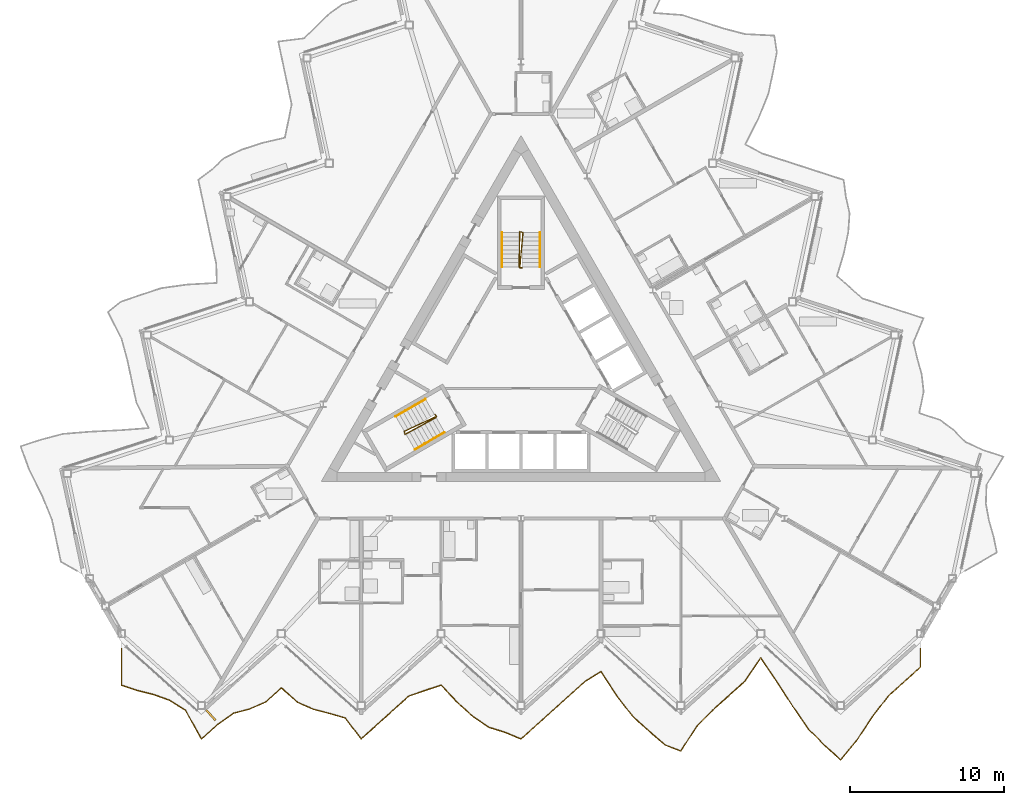
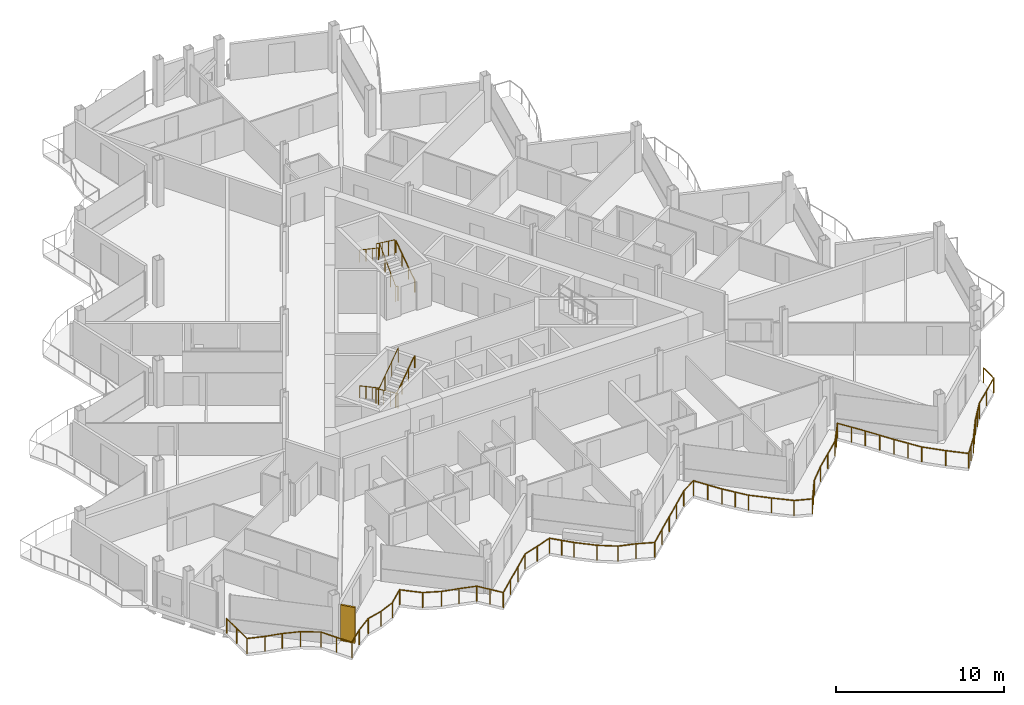
# One storey, part 22 of 26: 7 railings, 1 shading device.
"""IFC4 building model written with IfcOpenShell, lengths in metres."""

import ifcopenshell
import ifcopenshell.guid

model = None  # the IFC model being written
_history = None  # IfcOwnerHistory: only IFC2X3 demands one
_inside = {}  # id of a spatial element -> (the spatial element, [elements in it])
_under = {}  # id of a project, library or spatial element -> (it, [spatial elements below it])
_declared = {}  # id of a project -> (the project, [libraries it declares])
_typed = {}  # id of a type object -> (the type object, [elements of that type])
_made_of = {}  # id of a material, layer set ... -> (it, [elements and type objects made of it])


def new_model(schema):
    """Start an empty IFC model of exactly this schema.

    Asked for "IFC4X3", IfcOpenShell would pick the latest addendum, in which some entities
    have other attributes; the version numbers below select the first issue.
    IFC2X3 requires an IfcOwnerHistory on every rooted entity: one is made here for all.
    """
    global model, _history
    if schema == "IFC4X3":
        model = ifcopenshell.file(schema_version=(4, 3, 0, 0))
    else:
        model = ifcopenshell.file(schema=schema)
    _inside.clear()
    _under.clear()
    _declared.clear()
    _typed.clear()
    _made_of.clear()
    _history = None
    if model.schema == "IFC2X3":
        org = make("IfcOrganization", Name="unknown")
        user = make(
            "IfcPersonAndOrganization",
            ThePerson=make("IfcPerson", FamilyName="unknown"),
            TheOrganization=org,
        )
        app = make(
            "IfcApplication",
            ApplicationDeveloper=org,
            Version="unknown",
            ApplicationFullName="unknown",
            ApplicationIdentifier="unknown",
        )
        _history = make(
            "IfcOwnerHistory",
            OwningUser=user,
            OwningApplication=app,
            ChangeAction="ADDED",
            CreationDate=0,
        )
    return model


def make(cls, **values):
    """One entity of the class cls with the attributes given. An attribute that is None is left unset."""
    return model.create_entity(
        cls, **{name: value for name, value in values.items() if value is not None}
    )


def rooted(cls, **values):
    """An entity with a GlobalId (a new one), such as an element, a storey or a relation."""
    return make(cls, GlobalId=ifcopenshell.guid.new(), OwnerHistory=_history, **values)


def si_unit(unit_type, name, prefix=None):
    """IfcSIUnit, for example si_unit("LENGTHUNIT", "METRE", prefix="MILLI")."""
    return make("IfcSIUnit", UnitType=unit_type, Prefix=prefix, Name=name)


def assignment(units):
    """IfcUnitAssignment: the units of a project."""
    return None if units is None else make("IfcUnitAssignment", Units=units)


def point(xyz):
    """IfcCartesianPoint."""
    return None if xyz is None else make("IfcCartesianPoint", Coordinates=xyz)


def direction(xyz):
    """IfcDirection."""
    return None if xyz is None else make("IfcDirection", DirectionRatios=xyz)


def frame(location, z_axis=None, x_axis=None):
    """IfcAxis2Placement3D, a coordinate frame: its origin and axes. An axis left out is left unset."""
    return make(
        "IfcAxis2Placement3D",
        Location=point(location),
        Axis=direction(z_axis),
        RefDirection=direction(x_axis),
    )


def frame_2d(location, x_axis=None):
    """IfcAxis2Placement2D, a coordinate frame in the plane: its origin and x axis."""
    return make(
        "IfcAxis2Placement2D", Location=point(location), RefDirection=direction(x_axis)
    )


def origin():
    """The frame at (0, 0, 0) with its axes left unset."""
    return frame((0.0, 0.0, 0.0))


def origin_2d():
    """The frame at (0, 0) in the plane with its x axis left unset."""
    return frame_2d((0.0, 0.0))


def place(relative_to, where):
    """IfcLocalPlacement: puts the frame where relative to a parent placement (None: the world)."""
    return make(
        "IfcLocalPlacement", PlacementRelTo=relative_to, RelativePlacement=where
    )


def context(
    kind, dimensions, precision=None, world=None, true_north=None, identifier=None
):
    """IfcGeometricRepresentationContext, for example the 3D "Model" context."""
    return make(
        "IfcGeometricRepresentationContext",
        ContextIdentifier=identifier,
        ContextType=kind,
        CoordinateSpaceDimension=dimensions,
        Precision=precision,
        WorldCoordinateSystem=world,
        TrueNorth=true_north,
    )


def subcontext(parent, identifier, kind, view, scale=None):
    """IfcGeometricRepresentationSubContext, for example "Body" below "Model"."""
    return make(
        "IfcGeometricRepresentationSubContext",
        ContextIdentifier=identifier,
        ContextType=kind,
        ParentContext=parent,
        TargetScale=scale,
        TargetView=view,
    )


def project(units=None, contexts=None):
    """IfcProject with its units and contexts."""
    return rooted(
        "IfcProject",
        Name="project",
        RepresentationContexts=contexts,
        UnitsInContext=assignment(units),
    )


def spatial(cls, under=None, at=None, **own):
    """A site, building, storey or space (cls), placed at a placement, below another one or the project."""
    s = rooted(cls, ObjectPlacement=at, **own)
    if under is not None:
        _under.setdefault(under.id(), (under, []))[1].append(s)
    return s


def profile(cls, at=None, kind="AREA", **sizes):
    """A parametric profile (cls). Its sizes go by their IFC names, for example OverallWidth=200.0."""
    return make(cls, ProfileType=kind, Position=at, **sizes)


def rectangle(**sizes):
    """IfcRectangleProfileDef."""
    return profile("IfcRectangleProfileDef", **sizes)


def circle(**sizes):
    """IfcCircleProfileDef."""
    return profile("IfcCircleProfileDef", **sizes)


def extrude(swept, where, along, depth):
    """IfcExtrudedAreaSolid: the profile swept, set in the frame where, extruded along a direction by depth."""
    return make(
        "IfcExtrudedAreaSolid",
        SweptArea=swept,
        Position=where,
        ExtrudedDirection=direction(along),
        Depth=depth,
    )


def shape(context_of_items, identifier, shape_type, items):
    """IfcShapeRepresentation: the items that make up one representation, for example the "Body"."""
    return make(
        "IfcShapeRepresentation",
        ContextOfItems=context_of_items,
        RepresentationIdentifier=identifier,
        RepresentationType=shape_type,
        Items=items,
    )


def material(Name=None, Category=None):
    """IfcMaterial."""
    return make("IfcMaterial", Name=Name, Category=Category)


def layer(
    of_material, thickness, ventilated=None, Name=None, Category=None, Priority=None
):
    """IfcMaterialLayer: one layer of a wall or slab, of a material (None: an air gap)."""
    return make(
        "IfcMaterialLayer",
        Material=of_material,
        LayerThickness=thickness,
        IsVentilated=ventilated,
        Name=Name,
        Category=Category,
        Priority=Priority,
    )


def layer_set(layers, Name=None):
    """IfcMaterialLayerSet."""
    return make("IfcMaterialLayerSet", MaterialLayers=layers, LayerSetName=Name)


def made_of(thing, what):
    """Note that an element or type object is made of a material, layer set ...; save() writes the relation."""
    if what is not None:
        _made_of.setdefault(what.id(), (what, []))[1].append(thing)
    return thing


def type_object(cls, material=None, **own):
    """A type object (cls), such as IfcWallType, which elements share."""
    return made_of(rooted(cls, **own), material)


def element(
    cls,
    number,
    at=None,
    inside=None,
    cuts=None,
    type_object=None,
    material=None,
    context=None,
    identifier="Body",
    shape_type=None,
    held_by="IfcProductDefinitionShape",
    body=None,
    shapes=None,
    **own,
):
    """One element of the class cls, such as IfcWall. Its Tag is "e" and its number.

    at: its placement. inside: the storey or other place that contains it. cuts: it is an
    opening in that element (IfcRelVoidsElement). A single representation is given by context,
    identifier, shape_type and body (its items); several are given by shapes. held_by: the class
    of the entity that holds the representations. save() writes the other relations.
    """
    e = rooted(cls, Tag="e%d" % number, ObjectPlacement=at, **own)
    if body is not None:
        shapes = [shape(context, identifier, shape_type, body)]
    if shapes is not None:
        e.Representation = make(held_by, Representations=shapes)
    if inside is not None:
        _inside.setdefault(inside.id(), (inside, []))[1].append(e)
    if cuts is not None:
        rooted(
            "IfcRelVoidsElement", RelatingBuildingElement=cuts, RelatedOpeningElement=e
        )
    if type_object is not None:
        _typed.setdefault(type_object.id(), (type_object, []))[1].append(e)
    return made_of(e, material)


def aggregate(whole, parts):
    """IfcRelAggregates: a whole, such as a stair, and the parts it consists of."""
    return rooted("IfcRelAggregates", RelatingObject=whole, RelatedObjects=parts)


def save(model, path):
    """Write the relations noted so far, then the file.

    IfcRelAggregates (storeys below a building ...), IfcRelContainedInSpatialStructure (elements
    in a storey), IfcRelDefinesByType, IfcRelAssociatesMaterial and IfcRelDeclares: one each for
    every whole, place, type object, material and project.
    """
    for whole, parts in _under.values():
        aggregate(whole, parts)
    for where, things in _inside.values():
        rooted(
            "IfcRelContainedInSpatialStructure",
            RelatedElements=things,
            RelatingStructure=where,
        )
    for kind, things in _typed.values():
        rooted("IfcRelDefinesByType", RelatedObjects=things, RelatingType=kind)
    for what, things in _made_of.values():
        rooted("IfcRelAssociatesMaterial", RelatedObjects=things, RelatingMaterial=what)
    for by, libraries in _declared.values():
        rooted("IfcRelDeclares", RelatingContext=by, RelatedDefinitions=libraries)
    model.write(path)


model = new_model("IFC4")

# Units and contexts
model_context = context("Model", 3, precision=1e-05, world=origin(), true_north=direction((0.0, 1.0)))
body_context = subcontext(model_context, "Body", "Model", "MODEL_VIEW")
ifc_project = project(units=[si_unit("LENGTHUNIT", "METRE"), si_unit("AREAUNIT", "SQUARE_METRE"), si_unit("VOLUMEUNIT", "CUBIC_METRE"), si_unit("PLANEANGLEUNIT", "RADIAN"), si_unit("MASSUNIT", "GRAM", prefix="KILO")], contexts=[model_context])

# Site, building, storey
site_placement = place(None, origin())
site = spatial("IfcSite", under=ifc_project, at=site_placement, CompositionType="ELEMENT")
building_placement = place(site_placement, origin())
building = spatial("IfcBuilding", under=site, at=building_placement, Name="Cormorant Prow Tower", CompositionType="ELEMENT")
storey_placement = place(building_placement, frame((0.0, 0.0, 371.199951171875)))
storey = spatial("IfcBuildingStorey", under=building, at=storey_placement, Name="L83", CompositionType="ELEMENT", Elevation=371.199951171875)

# Railings
ifc_material_1 = material(Name="Aluminium 6063-T6", Category="aluminium")
railing_type_1 = type_object("IfcRailingType", Name="Balcony guard 1100", PredefinedType="GUARDRAIL", material=ifc_material_1)
railing_1_placement = place(storey_placement, frame((-26.0, -18.363525390625, 0.0)))
element("IfcRailing", 1, at=railing_1_placement, inside=storey, type_object=railing_type_1, Name="Balcony guard S", PredefinedType="GUARDRAIL", context=body_context, shape_type="SweptSolid", body=[
    extrude(circle(Radius=0.02392578125, at=origin_2d()), frame((0.0, 0.0, 1.076171875), z_axis=(0.0, -1.0, 0.0), x_axis=(1.0, 0.0, 0.0)), (0.0, 0.0, 1.0), 2.40380859375),
    extrude(circle(Radius=0.02392578125, at=origin_2d()), frame((0.0, -2.40380859375, 1.076171875), z_axis=(0.949216711511, -0.314623003909, 0.0), x_axis=(0.314623003909, 0.949216711511, 0.0)), (0.0, 0.0, 1.0), 1.095703125),
    extrude(circle(Radius=0.02392578125, at=origin_2d()), frame((1.0400390625, -2.74853515625, 1.076171875), z_axis=(0.970463258891, -0.241248965062, 0.0), x_axis=(0.241248965062, 0.970463258891, 0.0)), (0.0, 0.0, 1.0), 1.07177734375),
    extrude(circle(Radius=0.02392578125, at=origin_2d()), frame((2.080078125, -3.007080078125, 1.076171875), z_axis=(0.941491643018, -0.337036327606, 0.0), x_axis=(0.337036327606, 0.941491643018, 0.0)), (0.0, 0.0, 1.0), 1.104736328125),
    extrude(circle(Radius=0.02392578125, at=origin_2d()), frame((3.1201171875, -3.37939453125, 1.076171875), z_axis=(0.847271053482, -0.531160768442, 0.0), x_axis=(0.531160768442, 0.847271053482, 0.0)), (0.0, 0.0, 1.0), 1.227294921875),
    extrude(circle(Radius=0.02392578125, at=origin_2d()), frame((4.159912109375, -4.03125, 1.076171875), z_axis=(0.48588501577, -0.874022740808, 0.0), x_axis=(0.874022740808, 0.48588501577, 0.0)), (0.0, 0.0, 1.0), 2.140625),
    extrude(circle(Radius=0.02392578125, at=origin_2d()), frame((5.199951171875, -5.902099609375, 1.076171875), z_axis=(0.743120643554, 0.66915746213, 0.0), x_axis=(-0.66915746213, 0.743120643554, 0.0)), (0.0, 0.0, 1.0), 1.399658203125),
    extrude(circle(Radius=0.02392578125, at=origin_2d()), frame((6.239990234375, -4.965576171875, 1.076171875), z_axis=(0.816160009133, 0.577825959518, 0.0), x_axis=(-0.577825959518, 0.816160009133, 0.0)), (0.0, 0.0, 1.0), 1.2744140625),
    extrude(circle(Radius=0.02392578125, at=origin_2d()), frame((7.280029296875, -4.229248046875, 1.076171875), z_axis=(0.967745006886, 0.251931740056, 0.0), x_axis=(-0.251931740056, 0.967745006886, 0.0)), (0.0, 0.0, 1.0), 1.07470703125),
    extrude(circle(Radius=0.02392578125, at=origin_2d()), frame((8.320068359375, -3.95849609375, 1.076171875), z_axis=(0.91708374588, 0.398694623796, 0.0), x_axis=(-0.398694623796, 0.91708374588, 0.0)), (0.0, 0.0, 1.0), 1.134033203125),
    extrude(circle(Radius=0.02392578125, at=origin_2d()), frame((9.360107421875, -3.50634765625, 1.076171875), z_axis=(0.743129279254, 0.669147871786, 0.0), x_axis=(-0.669147871786, 0.743129279254, 0.0)), (0.0, 0.0, 1.0), 1.399169921875),
    extrude(circle(Radius=0.02392578125, at=origin_2d()), frame((10.39990234375, -2.570068359375, 1.076171875), z_axis=(0.743207391022, -0.669061113749, 0.0), x_axis=(0.669061113749, 0.743207391022, 0.0)), (0.0, 0.0, 1.0), 1.3994140625),
    extrude(circle(Radius=0.02392578125, at=origin_2d()), frame((11.43994140625, -3.50634765625, 1.076171875), z_axis=(0.915584205274, -0.402126302363, 0.0), x_axis=(0.402126302363, 0.915584205274, 0.0)), (0.0, 0.0, 1.0), 1.135986328125),
    extrude(circle(Radius=0.02392578125, at=origin_2d()), frame((12.47998046875, -3.963134765625, 1.076171875), z_axis=(0.967578668894, -0.252569830941, 0.0), x_axis=(0.252569830941, 0.967578668894, 0.0)), (0.0, 0.0, 1.0), 1.074951171875),
    extrude(circle(Radius=0.02392578125, at=origin_2d()), frame((13.52001953125, -4.234619140625, 1.076171875), z_axis=(0.960994388174, -0.276567868521, 0.0), x_axis=(0.276567868521, 0.960994388174, 0.0)), (0.0, 0.0, 1.0), 1.082275390625),
    extrude(circle(Radius=0.02392578125, at=origin_2d()), frame((14.56005859375, -4.533935546875, 1.076171875), z_axis=(0.605169709373, -0.796096490922, 0.0), x_axis=(0.796096490922, 0.605169709373, 0.0)), (0.0, 0.0, 1.0), 1.718505859375),
    extrude(circle(Radius=0.02392578125, at=origin_2d()), frame((15.60009765625, -5.902099609375, 1.076171875), z_axis=(0.74304251841, 0.669244212403, 0.0), x_axis=(-0.669244212403, 0.74304251841, 0.0)), (0.0, 0.0, 1.0), 1.3994140625),
    extrude(circle(Radius=0.02392578125, at=origin_2d()), frame((16.639892578125, -4.965576171875, 1.076171875), z_axis=(0.743207391022, 0.669061113749, 0.0), x_axis=(-0.669061113749, 0.743207391022, 0.0)), (0.0, 0.0, 1.0), 1.3994140625),
    extrude(circle(Radius=0.02392578125, at=origin_2d()), frame((17.679931640625, -4.029296875, 1.076171875), z_axis=(0.743120643554, 0.66915746213, 0.0), x_axis=(-0.66915746213, 0.743120643554, 0.0)), (0.0, 0.0, 1.0), 1.399658203125),
    extrude(circle(Radius=0.02392578125, at=origin_2d()), frame((18.719970703125, -3.0927734375, 1.076171875), z_axis=(0.947879229776, 0.318629825596, 0.0), x_axis=(-0.318629825596, 0.947879229776, 0.0)), (0.0, 0.0, 1.0), 1.09716796875),
    extrude(circle(Radius=0.02392578125, at=origin_2d()), frame((19.760009765625, -2.7431640625, 1.076171875), z_axis=(0.949681709263, 0.313216620074, 0.0), x_axis=(-0.313216620074, 0.949681709263, 0.0)), (0.0, 0.0, 1.0), 1.09521484375),
    extrude(circle(Radius=0.02392578125, at=origin_2d()), frame((20.800048828125, -2.400146484375, 1.076171875), z_axis=(0.684983419518, -0.72855865583, 0.0), x_axis=(0.72855865583, 0.684983419518, 0.0)), (0.0, 0.0, 1.0), 1.518310546875),
    extrude(circle(Radius=0.02392578125, at=origin_2d()), frame((21.840087890625, -3.50634765625, 1.076171875), z_axis=(0.74304251841, -0.669244212403, 0.0), x_axis=(0.669244212403, 0.74304251841, 0.0)), (0.0, 0.0, 1.0), 1.3994140625),
    extrude(circle(Radius=0.02392578125, at=origin_2d()), frame((22.8798828125, -4.44287109375, 1.076171875), z_axis=(0.828532880036, -0.559940413526, 0.0), x_axis=(0.559940413526, 0.828532880036, 0.0)), (0.0, 0.0, 1.0), 1.25537109375),
    extrude(circle(Radius=0.02392578125, at=origin_2d()), frame((23.919921875, -5.145751953125, 1.076171875), z_axis=(0.955322079732, -0.295566784293, 0.0), x_axis=(0.295566784293, 0.955322079732, 0.0)), (0.0, 0.0, 1.0), 1.088623046875),
    extrude(circle(Radius=0.02392578125, at=origin_2d()), frame((24.9599609375, -5.467529296875, 1.076171875), z_axis=(0.922691974816, -0.385537961308, 0.0), x_axis=(0.385537961308, 0.922691974816, 0.0)), (0.0, 0.0, 1.0), 1.127197265625),
    extrude(circle(Radius=0.02392578125, at=origin_2d()), frame((26.0, -5.902099609375, 1.076171875), z_axis=(0.743120643554, 0.66915746213, 0.0), x_axis=(-0.66915746213, 0.743120643554, 0.0)), (0.0, 0.0, 1.0), 1.399658203125),
    extrude(circle(Radius=0.02392578125, at=origin_2d()), frame((27.0400390625, -4.965576171875, 1.076171875), z_axis=(0.743207391022, 0.669061113749, 0.0), x_axis=(-0.669061113749, 0.743207391022, 0.0)), (0.0, 0.0, 1.0), 1.3994140625),
    extrude(circle(Radius=0.02392578125, at=origin_2d()), frame((28.080078125, -4.029296875, 1.076171875), z_axis=(0.743120643554, 0.66915746213, 0.0), x_axis=(-0.66915746213, 0.743120643554, 0.0)), (0.0, 0.0, 1.0), 1.399658203125),
    extrude(circle(Radius=0.02392578125, at=origin_2d()), frame((29.1201171875, -3.0927734375, 1.076171875), z_axis=(0.743129279254, 0.669147871786, 0.0), x_axis=(-0.669147871786, 0.743129279254, 0.0)), (0.0, 0.0, 1.0), 1.399169921875),
    extrude(circle(Radius=0.02392578125, at=origin_2d()), frame((30.159912109375, -2.156494140625, 1.076171875), z_axis=(0.850009906442, 0.526766702584, 0.0), x_axis=(-0.526766702584, 0.850009906442, 0.0)), (0.0, 0.0, 1.0), 1.2236328125),
    extrude(circle(Radius=0.02392578125, at=origin_2d()), frame((31.199951171875, -1.511962890625, 1.076171875), z_axis=(0.547266669214, -0.836958298105, 0.0), x_axis=(0.836958298105, 0.547266669214, 0.0)), (0.0, 0.0, 1.0), 1.900390625),
    extrude(circle(Radius=0.02392578125, at=origin_2d()), frame((32.239990234375, -3.1025390625, 1.076171875), z_axis=(0.613043566481, -0.790049103282, 0.0), x_axis=(0.790049103282, 0.613043566481, 0.0)), (0.0, 0.0, 1.0), 1.696533203125),
    extrude(circle(Radius=0.02392578125, at=origin_2d()), frame((33.280029296875, -4.44287109375, 1.076171875), z_axis=(0.743120643554, -0.66915746213, 0.0), x_axis=(0.66915746213, 0.743120643554, 0.0)), (0.0, 0.0, 1.0), 1.399658203125),
    extrude(circle(Radius=0.02392578125, at=origin_2d()), frame((34.320068359375, -5.37939453125, 1.076171875), z_axis=(0.755162433193, -0.655537717828, 0.0), x_axis=(0.655537717828, 0.755162433193, 0.0)), (0.0, 0.0, 1.0), 1.377197265625),
    extrude(circle(Radius=0.02392578125, at=origin_2d()), frame((35.360107421875, -6.2822265625, 1.076171875), z_axis=(0.931284713773, -0.364292165566, 0.0), x_axis=(0.364292165566, 0.931284713773, 0.0)), (0.0, 0.0, 1.0), 1.116455078125),
    extrude(circle(Radius=0.02392578125, at=origin_2d()), frame((36.39990234375, -6.68896484375, 1.076171875), z_axis=(0.542765165878, 0.839884500815, 0.0), x_axis=(-0.839884500815, 0.542765165878, 0.0)), (0.0, 0.0, 1.0), 1.916259765625),
    extrude(circle(Radius=0.02392578125, at=origin_2d()), frame((37.43994140625, -5.07958984375, 1.076171875), z_axis=(0.703629676819, 0.710566870815, 0.0), x_axis=(-0.710566870815, 0.703629676819, 0.0)), (0.0, 0.0, 1.0), 1.47802734375),
    extrude(circle(Radius=0.02392578125, at=origin_2d()), frame((38.47998046875, -4.029296875, 1.076171875), z_axis=(0.743120643554, 0.66915746213, 0.0), x_axis=(-0.66915746213, 0.743120643554, 0.0)), (0.0, 0.0, 1.0), 1.399658203125),
    extrude(circle(Radius=0.02392578125, at=origin_2d()), frame((39.52001953125, -3.0927734375, 1.076171875), z_axis=(0.743207391022, 0.669061113749, 0.0), x_axis=(-0.669061113749, 0.743207391022, 0.0)), (0.0, 0.0, 1.0), 1.3994140625),
    extrude(circle(Radius=0.02392578125, at=origin_2d()), frame((40.56005859375, -2.156494140625, 1.076171875), z_axis=(0.56272184316, 0.826646313262, 0.0), x_axis=(-0.826646313262, 0.56272184316, 0.0)), (0.0, 0.0, 1.0), 1.84814453125),
    extrude(circle(Radius=0.02392578125, at=origin_2d()), frame((41.60009765625, -0.628662109375, 1.076171875), z_axis=(0.563246541597, -0.826288892204, 0.0), x_axis=(0.826288892204, 0.563246541597, 0.0)), (0.0, 0.0, 1.0), 1.84619140625),
    extrude(circle(Radius=0.02392578125, at=origin_2d()), frame((42.639892578125, -2.154052734375, 1.076171875), z_axis=(0.541547631663, -0.840670067649, 0.0), x_axis=(0.840670067649, 0.541547631663, 0.0)), (0.0, 0.0, 1.0), 1.92041015625),
    extrude(circle(Radius=0.02392578125, at=origin_2d()), frame((43.679931640625, -3.7685546875, 1.076171875), z_axis=(0.56885579327, -0.822437284213, 0.0), x_axis=(0.822437284213, 0.56885579327, 0.0)), (0.0, 0.0, 1.0), 1.828369140625),
    extrude(circle(Radius=0.02392578125, at=origin_2d()), frame((44.719970703125, -5.272216796875, 1.076171875), z_axis=(0.705945824819, -0.708265834571, 0.0), x_axis=(0.708265834571, 0.705945824819, 0.0)), (0.0, 0.0, 1.0), 1.47314453125),
    extrude(circle(Radius=0.02392578125, at=origin_2d()), frame((45.760009765625, -6.315673828125, 1.076171875), z_axis=(0.743207391022, -0.669061113749, 0.0), x_axis=(0.669061113749, 0.743207391022, 0.0)), (0.0, 0.0, 1.0), 1.3994140625),
    extrude(circle(Radius=0.02392578125, at=origin_2d()), frame((46.800048828125, -7.251953125, 1.076171875), z_axis=(0.642109751933, 0.766612722613, 0.0), x_axis=(-0.766612722613, 0.642109751933, 0.0)), (0.0, 0.0, 1.0), 1.61962890625),
    extrude(circle(Radius=0.02392578125, at=origin_2d()), frame((47.840087890625, -6.01025390625, 1.076171875), z_axis=(0.552035240511, 0.833820780044, 0.0), x_axis=(-0.833820780044, 0.552035240511, 0.0)), (0.0, 0.0, 1.0), 1.883544921875),
    extrude(circle(Radius=0.02392578125, at=origin_2d()), frame((48.8798828125, -4.439697265625, 1.076171875), z_axis=(0.611165726756, 0.791502655989, 0.0), x_axis=(-0.791502655989, 0.611165726756, 0.0)), (0.0, 0.0, 1.0), 1.70166015625),
    extrude(circle(Radius=0.02392578125, at=origin_2d()), frame((49.919921875, -3.0927734375, 1.076171875), z_axis=(0.743207391022, 0.669061113749, 0.0), x_axis=(-0.669061113749, 0.743207391022, 0.0)), (0.0, 0.0, 1.0), 1.3994140625),
    extrude(circle(Radius=0.02392578125, at=origin_2d()), frame((50.9599609375, -2.156494140625, 1.076171875), z_axis=(0.743120643554, 0.66915746213, 0.0), x_axis=(-0.66915746213, 0.743120643554, 0.0)), (0.0, 0.0, 1.0), 1.399658203125),
    extrude(circle(Radius=0.02392578125, at=origin_2d()), frame((52.0, -1.219970703125, 1.076171875), z_axis=(0.0, 1.0, 0.0), x_axis=(-1.0, 0.0, 0.0)), (0.0, 0.0, 1.0), 1.219970703125),
    extrude(circle(Radius=0.02099609375, at=origin_2d()), origin(), (0.0, 0.0, 1.0), 1.052001953125),
    extrude(circle(Radius=0.02099609375, at=origin_2d()), frame((0.0, -1.201904296875, 0.0)), (0.0, 0.0, 1.0), 1.052001953125),
    extrude(circle(Radius=0.02099609375, at=origin_2d()), frame((0.0, -2.40380859375, 0.0)), (0.0, 0.0, 1.0), 1.052001953125),
    extrude(circle(Radius=0.02099609375, at=origin_2d()), frame((1.0400390625, -2.74853515625, 0.0)), (0.0, 0.0, 1.0), 1.052001953125),
    extrude(circle(Radius=0.02099609375, at=origin_2d()), frame((2.080078125, -3.007080078125, 0.0)), (0.0, 0.0, 1.0), 1.052001953125),
    extrude(circle(Radius=0.02099609375, at=origin_2d()), frame((3.1201171875, -3.37939453125, 0.0)), (0.0, 0.0, 1.0), 1.052001953125),
    extrude(circle(Radius=0.02099609375, at=origin_2d()), frame((4.159912109375, -4.03125, 0.0)), (0.0, 0.0, 1.0), 1.052001953125),
    extrude(circle(Radius=0.02099609375, at=origin_2d()), frame((4.679931640625, -4.966796875, 0.0)), (0.0, 0.0, 1.0), 1.052001953125),
    extrude(circle(Radius=0.02099609375, at=origin_2d()), frame((5.199951171875, -5.902099609375, 0.0)), (0.0, 0.0, 1.0), 1.052001953125),
    extrude(circle(Radius=0.02099609375, at=origin_2d()), frame((6.239990234375, -4.965576171875, 0.0)), (0.0, 0.0, 1.0), 1.052001953125),
    extrude(circle(Radius=0.02099609375, at=origin_2d()), frame((7.280029296875, -4.229248046875, 0.0)), (0.0, 0.0, 1.0), 1.052001953125),
    extrude(circle(Radius=0.02099609375, at=origin_2d()), frame((8.320068359375, -3.95849609375, 0.0)), (0.0, 0.0, 1.0), 1.052001953125),
    extrude(circle(Radius=0.02099609375, at=origin_2d()), frame((9.360107421875, -3.50634765625, 0.0)), (0.0, 0.0, 1.0), 1.052001953125),
    extrude(circle(Radius=0.02099609375, at=origin_2d()), frame((10.39990234375, -2.570068359375, 0.0)), (0.0, 0.0, 1.0), 1.052001953125),
    extrude(circle(Radius=0.02099609375, at=origin_2d()), frame((11.43994140625, -3.50634765625, 0.0)), (0.0, 0.0, 1.0), 1.052001953125),
    extrude(circle(Radius=0.02099609375, at=origin_2d()), frame((12.47998046875, -3.963134765625, 0.0)), (0.0, 0.0, 1.0), 1.052001953125),
    extrude(circle(Radius=0.02099609375, at=origin_2d()), frame((13.52001953125, -4.234619140625, 0.0)), (0.0, 0.0, 1.0), 1.052001953125),
    extrude(circle(Radius=0.02099609375, at=origin_2d()), frame((14.56005859375, -4.533935546875, 0.0)), (0.0, 0.0, 1.0), 1.052001953125),
    extrude(circle(Radius=0.02099609375, at=origin_2d()), frame((15.080078125, -5.218017578125, 0.0)), (0.0, 0.0, 1.0), 1.052001953125),
    extrude(circle(Radius=0.02099609375, at=origin_2d()), frame((15.60009765625, -5.902099609375, 0.0)), (0.0, 0.0, 1.0), 1.052001953125),
    extrude(circle(Radius=0.02099609375, at=origin_2d()), frame((16.639892578125, -4.965576171875, 0.0)), (0.0, 0.0, 1.0), 1.052001953125),
    extrude(circle(Radius=0.02099609375, at=origin_2d()), frame((17.679931640625, -4.029296875, 0.0)), (0.0, 0.0, 1.0), 1.052001953125),
    extrude(circle(Radius=0.02099609375, at=origin_2d()), frame((18.719970703125, -3.0927734375, 0.0)), (0.0, 0.0, 1.0), 1.052001953125),
    extrude(circle(Radius=0.02099609375, at=origin_2d()), frame((19.760009765625, -2.7431640625, 0.0)), (0.0, 0.0, 1.0), 1.052001953125),
    extrude(circle(Radius=0.02099609375, at=origin_2d()), frame((20.800048828125, -2.400146484375, 0.0)), (0.0, 0.0, 1.0), 1.052001953125),
    extrude(circle(Radius=0.02099609375, at=origin_2d()), frame((21.320068359375, -2.953125, 0.0)), (0.0, 0.0, 1.0), 1.052001953125),
    extrude(circle(Radius=0.02099609375, at=origin_2d()), frame((21.840087890625, -3.50634765625, 0.0)), (0.0, 0.0, 1.0), 1.052001953125),
    extrude(circle(Radius=0.02099609375, at=origin_2d()), frame((22.8798828125, -4.44287109375, 0.0)), (0.0, 0.0, 1.0), 1.052001953125),
    extrude(circle(Radius=0.02099609375, at=origin_2d()), frame((23.919921875, -5.145751953125, 0.0)), (0.0, 0.0, 1.0), 1.052001953125),
    extrude(circle(Radius=0.02099609375, at=origin_2d()), frame((24.9599609375, -5.467529296875, 0.0)), (0.0, 0.0, 1.0), 1.052001953125),
    extrude(circle(Radius=0.02099609375, at=origin_2d()), frame((26.0, -5.902099609375, 0.0)), (0.0, 0.0, 1.0), 1.052001953125),
    extrude(circle(Radius=0.02099609375, at=origin_2d()), frame((27.0400390625, -4.965576171875, 0.0)), (0.0, 0.0, 1.0), 1.052001953125),
    extrude(circle(Radius=0.02099609375, at=origin_2d()), frame((28.080078125, -4.029296875, 0.0)), (0.0, 0.0, 1.0), 1.052001953125),
    extrude(circle(Radius=0.02099609375, at=origin_2d()), frame((29.1201171875, -3.0927734375, 0.0)), (0.0, 0.0, 1.0), 1.052001953125),
    extrude(circle(Radius=0.02099609375, at=origin_2d()), frame((30.159912109375, -2.156494140625, 0.0)), (0.0, 0.0, 1.0), 1.052001953125),
    extrude(circle(Radius=0.02099609375, at=origin_2d()), frame((31.199951171875, -1.511962890625, 0.0)), (0.0, 0.0, 1.0), 1.052001953125),
    extrude(circle(Radius=0.02099609375, at=origin_2d()), frame((31.719970703125, -2.30712890625, 0.0)), (0.0, 0.0, 1.0), 1.052001953125),
    extrude(circle(Radius=0.02099609375, at=origin_2d()), frame((32.239990234375, -3.1025390625, 0.0)), (0.0, 0.0, 1.0), 1.052001953125),
    extrude(circle(Radius=0.02099609375, at=origin_2d()), frame((32.760009765625, -3.772705078125, 0.0)), (0.0, 0.0, 1.0), 1.052001953125),
    extrude(circle(Radius=0.02099609375, at=origin_2d()), frame((33.280029296875, -4.44287109375, 0.0)), (0.0, 0.0, 1.0), 1.052001953125),
    extrude(circle(Radius=0.02099609375, at=origin_2d()), frame((34.320068359375, -5.37939453125, 0.0)), (0.0, 0.0, 1.0), 1.052001953125),
    extrude(circle(Radius=0.02099609375, at=origin_2d()), frame((35.360107421875, -6.2822265625, 0.0)), (0.0, 0.0, 1.0), 1.052001953125),
    extrude(circle(Radius=0.02099609375, at=origin_2d()), frame((36.39990234375, -6.68896484375, 0.0)), (0.0, 0.0, 1.0), 1.052001953125),
    extrude(circle(Radius=0.02099609375, at=origin_2d()), frame((36.919921875, -5.88427734375, 0.0)), (0.0, 0.0, 1.0), 1.052001953125),
    extrude(circle(Radius=0.02099609375, at=origin_2d()), frame((37.43994140625, -5.07958984375, 0.0)), (0.0, 0.0, 1.0), 1.052001953125),
    extrude(circle(Radius=0.02099609375, at=origin_2d()), frame((38.47998046875, -4.029296875, 0.0)), (0.0, 0.0, 1.0), 1.052001953125),
    extrude(circle(Radius=0.02099609375, at=origin_2d()), frame((39.52001953125, -3.0927734375, 0.0)), (0.0, 0.0, 1.0), 1.052001953125),
    extrude(circle(Radius=0.02099609375, at=origin_2d()), frame((40.56005859375, -2.156494140625, 0.0)), (0.0, 0.0, 1.0), 1.052001953125),
    extrude(circle(Radius=0.02099609375, at=origin_2d()), frame((41.080078125, -1.392578125, 0.0)), (0.0, 0.0, 1.0), 1.052001953125),
    extrude(circle(Radius=0.02099609375, at=origin_2d()), frame((41.60009765625, -0.628662109375, 0.0)), (0.0, 0.0, 1.0), 1.052001953125),
    extrude(circle(Radius=0.02099609375, at=origin_2d()), frame((42.1201171875, -1.391357421875, 0.0)), (0.0, 0.0, 1.0), 1.052001953125),
    extrude(circle(Radius=0.02099609375, at=origin_2d()), frame((42.639892578125, -2.154052734375, 0.0)), (0.0, 0.0, 1.0), 1.052001953125),
    extrude(circle(Radius=0.02099609375, at=origin_2d()), frame((43.159912109375, -2.96142578125, 0.0)), (0.0, 0.0, 1.0), 1.052001953125),
    extrude(circle(Radius=0.02099609375, at=origin_2d()), frame((43.679931640625, -3.7685546875, 0.0)), (0.0, 0.0, 1.0), 1.052001953125),
    extrude(circle(Radius=0.02099609375, at=origin_2d()), frame((44.199951171875, -4.5205078125, 0.0)), (0.0, 0.0, 1.0), 1.052001953125),
    extrude(circle(Radius=0.02099609375, at=origin_2d()), frame((44.719970703125, -5.272216796875, 0.0)), (0.0, 0.0, 1.0), 1.052001953125),
    extrude(circle(Radius=0.02099609375, at=origin_2d()), frame((45.760009765625, -6.315673828125, 0.0)), (0.0, 0.0, 1.0), 1.052001953125),
    extrude(circle(Radius=0.02099609375, at=origin_2d()), frame((46.800048828125, -7.251953125, 0.0)), (0.0, 0.0, 1.0), 1.052001953125),
    extrude(circle(Radius=0.02099609375, at=origin_2d()), frame((47.320068359375, -6.631103515625, 0.0)), (0.0, 0.0, 1.0), 1.052001953125),
    extrude(circle(Radius=0.02099609375, at=origin_2d()), frame((47.840087890625, -6.01025390625, 0.0)), (0.0, 0.0, 1.0), 1.052001953125),
    extrude(circle(Radius=0.02099609375, at=origin_2d()), frame((48.35986328125, -5.22509765625, 0.0)), (0.0, 0.0, 1.0), 1.052001953125),
    extrude(circle(Radius=0.02099609375, at=origin_2d()), frame((48.8798828125, -4.439697265625, 0.0)), (0.0, 0.0, 1.0), 1.052001953125),
    extrude(circle(Radius=0.02099609375, at=origin_2d()), frame((49.39990234375, -3.76611328125, 0.0)), (0.0, 0.0, 1.0), 1.052001953125),
    extrude(circle(Radius=0.02099609375, at=origin_2d()), frame((49.919921875, -3.0927734375, 0.0)), (0.0, 0.0, 1.0), 1.052001953125),
    extrude(circle(Radius=0.02099609375, at=origin_2d()), frame((50.9599609375, -2.156494140625, 0.0)), (0.0, 0.0, 1.0), 1.052001953125),
    extrude(circle(Radius=0.02099609375, at=origin_2d()), frame((52.0, -1.219970703125, 0.0)), (0.0, 0.0, 1.0), 1.052001953125),
    extrude(circle(Radius=0.02099609375, at=origin_2d()), frame((52.0, 0.0, 0.0)), (0.0, 0.0, 1.0), 1.052001953125),
])
ifc_material_2 = material(Name="Stainless steel", Category="steel")
railing_type_2 = type_object("IfcRailingType", Name="Stair guard 1100", PredefinedType="GUARDRAIL", material=ifc_material_2)
railing_2_placement = place(storey_placement, frame((-5.585205078125, -3.137939453125, 0.0)))
element("IfcRailing", 2, at=railing_2_placement, inside=storey, type_object=railing_type_2, Name="L83 ST1 stair guard 1", PredefinedType="GUARDRAIL", context=body_context, shape_type="SweptSolid", body=[
    extrude(circle(Radius=0.02392578125, at=origin_2d()), frame((0.0, 0.0, 1.076171875), z_axis=(0.501036270542, -0.865426285481, 0.0), x_axis=(0.865426285481, 0.501036270542, 0.0)), (0.0, 0.0, 1.0), 0.150146484375),
    extrude(circle(Radius=0.02392578125, at=origin_2d()), frame((0.0751953125, -0.1298828125, 1.076171875), z_axis=(-0.728641035543, -0.339941399566, 0.594577233152), x_axis=(0.422792438952, -0.906226546491, 0.0)), (0.0, 0.0, 1.0), 2.859130859375),
    extrude(circle(Radius=0.02392578125, at=origin_2d()), frame((-2.008056640625, -1.101806640625, 2.77587890625), z_axis=(0.275034262293, -0.961434425515, 0.0), x_axis=(0.961434425515, 0.275034262293, 0.0)), (0.0, 0.0, 1.0), 0.2060546875),
    extrude(circle(Radius=0.02392578125, at=origin_2d()), frame((-1.951416015625, -1.2998046875, 2.77587890625), z_axis=(0.704022539576, 0.386159700774, 0.596014219014), x_axis=(-0.480911908544, 0.87676891837, 0.0)), (0.0, 0.0, 1.0), 2.8525390625),
    extrude(circle(Radius=0.02099609375, at=origin_2d()), origin(), (0.0, 0.0, 1.0), 1.052001953125),
    extrude(circle(Radius=0.02099609375, at=origin_2d()), frame((0.0751953125, -0.1298828125, 0.0)), (0.0, 0.0, 1.0), 1.052001953125),
    extrude(circle(Radius=0.02099609375, at=origin_2d()), frame((-0.619140625, -0.453857421875, 0.566650390625)), (0.0, 0.0, 1.0), 1.052001953125),
    extrude(circle(Radius=0.02099609375, at=origin_2d()), frame((-1.313720703125, -0.77783203125, 1.13330078125)), (0.0, 0.0, 1.0), 1.052001953125),
    extrude(circle(Radius=0.02099609375, at=origin_2d()), frame((-2.008056640625, -1.101806640625, 1.699951171875)), (0.0, 0.0, 1.0), 1.052001953125),
    extrude(circle(Radius=0.02099609375, at=origin_2d()), frame((-1.951416015625, -1.2998046875, 1.699951171875)), (0.0, 0.0, 1.0), 1.052001953125),
    extrude(circle(Radius=0.02099609375, at=origin_2d()), frame((-1.281982421875, -0.9326171875, 2.2666015625)), (0.0, 0.0, 1.0), 1.052001953125),
    extrude(circle(Radius=0.02099609375, at=origin_2d()), frame((-0.612548828125, -0.5654296875, 2.83349609375)), (0.0, 0.0, 1.0), 1.052001953125),
    extrude(circle(Radius=0.02099609375, at=origin_2d()), frame((0.056884765625, -0.1982421875, 3.400146484375)), (0.0, 0.0, 1.0), 1.052001953125),
])
railing_3_placement = place(storey_placement, frame((0.074951171875, 6.40576171875, 0.0)))
element("IfcRailing", 3, at=railing_3_placement, inside=storey, type_object=railing_type_2, Name="L83 ST3 stair guard 1", PredefinedType="GUARDRAIL", context=body_context, shape_type="SweptSolid", body=[
    extrude(circle(Radius=0.02392578125, at=origin_2d()), frame((0.0, 0.0, 1.076171875), z_axis=(-1.0, 0.0, 0.0), x_axis=(0.0, -1.0, 0.0)), (0.0, 0.0, 1.0), 0.14990234375),
    extrude(circle(Radius=0.02392578125, at=origin_2d()), frame((-0.14990234375, 0.0, 1.076171875), z_axis=(0.069936542308, 0.800982621307, 0.594588698525), x_axis=(-0.996209839609, 0.086982500921, 0.0)), (0.0, 0.0, 1.0), 2.859130859375),
    extrude(circle(Radius=0.02392578125, at=origin_2d()), frame((0.050048828125, 2.2900390625, 2.77587890625), z_axis=(-0.970072785993, 0.242814311512, 0.0), x_axis=(-0.242814311512, -0.970072785993, 0.0)), (0.0, 0.0, 1.0), 0.2060546875),
    extrude(circle(Radius=0.02392578125, at=origin_2d()), frame((-0.14990234375, 2.340087890625, 2.77587890625), z_axis=(-0.017544855785, -0.802784132979, 0.596011588706), x_axis=(0.999761264773, -0.0218497931, 0.0)), (0.0, 0.0, 1.0), 2.8525390625),
    extrude(circle(Radius=0.02099609375, at=origin_2d()), origin(), (0.0, 0.0, 1.0), 1.052001953125),
    extrude(circle(Radius=0.02099609375, at=origin_2d()), frame((-0.14990234375, 0.0, 0.0)), (0.0, 0.0, 1.0), 1.052001953125),
    extrude(circle(Radius=0.02099609375, at=origin_2d()), frame((-0.083251953125, 0.763427734375, 0.566650390625)), (0.0, 0.0, 1.0), 1.052001953125),
    extrude(circle(Radius=0.02099609375, at=origin_2d()), frame((-0.0166015625, 1.526611328125, 1.13330078125)), (0.0, 0.0, 1.0), 1.052001953125),
    extrude(circle(Radius=0.02099609375, at=origin_2d()), frame((0.050048828125, 2.2900390625, 1.699951171875)), (0.0, 0.0, 1.0), 1.052001953125),
    extrude(circle(Radius=0.02099609375, at=origin_2d()), frame((-0.14990234375, 2.340087890625, 1.699951171875)), (0.0, 0.0, 1.0), 1.052001953125),
    extrude(circle(Radius=0.02099609375, at=origin_2d()), frame((-0.16650390625, 1.57666015625, 2.2666015625)), (0.0, 0.0, 1.0), 1.052001953125),
    extrude(circle(Radius=0.02099609375, at=origin_2d()), frame((-0.183349609375, 0.8134765625, 2.83349609375)), (0.0, 0.0, 1.0), 1.052001953125),
    extrude(circle(Radius=0.02099609375, at=origin_2d()), frame((-0.199951171875, 0.050048828125, 3.400146484375)), (0.0, 0.0, 1.0), 1.052001953125),
])
ifc_material_3 = material(Name="Stainless steel", Category="steel")
railing_type_3 = type_object("IfcRailingType", Name="Stair handrail 900", PredefinedType="HANDRAIL", material=ifc_material_3)
railing_4_placement = place(storey_placement, frame((-6.212890625, -2.150634765625, 0.18896484375)))
element("IfcRailing", 4, at=railing_4_placement, inside=storey, type_object=railing_type_3, Name="L83 ST1 stair handrail 1", PredefinedType="HANDRAIL", context=body_context, shape_type="SweptSolid", body=[
    extrude(circle(Radius=0.02392578125, at=origin_2d()), frame((0.0, 0.0, 0.8759765625), z_axis=(-0.717976596433, -0.414467486514, 0.559219375198), x_axis=(0.49994888933, -0.866054910533, 0.0)), (0.0, 0.0, 1.0), 2.701904296875),
    extrude(circle(Radius=0.02099609375, at=origin_2d()), origin(), (0.0, 0.0, 1.0), 0.851806640625),
    extrude(circle(Radius=0.02099609375, at=origin_2d()), frame((-0.646728515625, -0.373291015625, 0.503662109375)), (0.0, 0.0, 1.0), 0.851806640625),
    extrude(circle(Radius=0.02099609375, at=origin_2d()), frame((-1.293212890625, -0.74658203125, 1.00732421875)), (0.0, 0.0, 1.0), 0.851806640625),
    extrude(circle(Radius=0.02099609375, at=origin_2d()), frame((-1.93994140625, -1.119873046875, 1.510986328125)), (0.0, 0.0, 1.0), 0.851806640625),
])
railing_5_placement = place(storey_placement, frame((-6.90869140625, -5.42529296875, 1.888916015625)))
element("IfcRailing", 5, at=railing_5_placement, inside=storey, type_object=railing_type_3, Name="L83 ST1 stair handrail 2", PredefinedType="HANDRAIL", context=body_context, shape_type="SweptSolid", body=[
    extrude(circle(Radius=0.02392578125, at=origin_2d()), frame((0.0, 0.0, 0.8759765625), z_axis=(0.717869644322, 0.414548260308, 0.559296802813), x_axis=(-0.500077830873, 0.865980463445, 0.0)), (0.0, 0.0, 1.0), 2.701904296875),
    extrude(circle(Radius=0.02099609375, at=origin_2d()), origin(), (0.0, 0.0, 1.0), 0.851806640625),
    extrude(circle(Radius=0.02099609375, at=origin_2d()), frame((0.646484375, 0.373291015625, 0.503662109375)), (0.0, 0.0, 1.0), 0.851806640625),
    extrude(circle(Radius=0.02099609375, at=origin_2d()), frame((1.293212890625, 0.746826171875, 1.007568359375)), (0.0, 0.0, 1.0), 0.851806640625),
    extrude(circle(Radius=0.02099609375, at=origin_2d()), frame((1.939697265625, 1.1201171875, 1.51123046875)), (0.0, 0.0, 1.0), 0.851806640625),
])
railing_6_placement = place(storey_placement, frame((1.243896484375, 6.455810546875, 0.18896484375)))
element("IfcRailing", 6, at=railing_6_placement, inside=storey, type_object=railing_type_3, Name="L83 ST3 stair handrail 1", PredefinedType="HANDRAIL", context=body_context, shape_type="SweptSolid", body=[
    extrude(circle(Radius=0.02392578125, at=origin_2d()), frame((0.0, 0.0, 0.8759765625), z_axis=(0.0, 0.829021472004, 0.559216772778), x_axis=(-1.0, 0.0, 0.0)), (0.0, 0.0, 1.0), 2.701904296875),
    extrude(circle(Radius=0.02099609375, at=origin_2d()), origin(), (0.0, 0.0, 1.0), 0.851806640625),
    extrude(circle(Radius=0.02099609375, at=origin_2d()), frame((0.0, 0.74658203125, 0.503662109375)), (0.0, 0.0, 1.0), 0.851806640625),
    extrude(circle(Radius=0.02099609375, at=origin_2d()), frame((0.0, 1.493408203125, 1.00732421875)), (0.0, 0.0, 1.0), 0.851806640625),
    extrude(circle(Radius=0.02099609375, at=origin_2d()), frame((0.0, 2.239990234375, 1.510986328125)), (0.0, 0.0, 1.0), 0.851806640625),
])
railing_7_placement = place(storey_placement, frame((-1.243896484375, 8.69580078125, 1.888916015625)))
element("IfcRailing", 7, at=railing_7_placement, inside=storey, type_object=railing_type_3, Name="L83 ST3 stair handrail 2", PredefinedType="HANDRAIL", context=body_context, shape_type="SweptSolid", body=[
    extrude(circle(Radius=0.02392578125, at=origin_2d()), frame((0.0, 0.0, 0.8759765625), z_axis=(0.0, -0.828979582247, 0.559278868023), x_axis=(1.0, 0.0, 0.0)), (0.0, 0.0, 1.0), 2.7021484375),
    extrude(circle(Radius=0.02099609375, at=origin_2d()), origin(), (0.0, 0.0, 1.0), 0.851806640625),
    extrude(circle(Radius=0.02099609375, at=origin_2d()), frame((0.0, -0.74658203125, 0.503662109375)), (0.0, 0.0, 1.0), 0.851806640625),
    extrude(circle(Radius=0.02099609375, at=origin_2d()), frame((0.0, -1.493408203125, 1.007568359375)), (0.0, 0.0, 1.0), 0.851806640625),
    extrude(circle(Radius=0.02099609375, at=origin_2d()), frame((0.0, -2.239990234375, 1.51123046875)), (0.0, 0.0, 1.0), 0.851806640625),
])

# Shading device
ifc_material_4 = material(Name="Terracotta", Category="masonry")
ifc_layer = layer(ifc_material_4, 0.1201171875)
ifc_layer_set = layer_set([ifc_layer], Name="Terracotta")
shading_device_type = type_object("IfcShadingDeviceType", Name="Terracotta baguette fin 120x900x2600", PredefinedType="USERDEFINED", material=ifc_layer_set)
shading_device_placement = place(storey_placement, frame((-20.182373046875, -22.715087890625, 0.0), z_axis=(0.0, 0.0, 1.0), x_axis=(0.743144827638, 0.669130603959, 0.0)))
element("IfcShadingDevice", 8, at=shading_device_placement, inside=storey, type_object=shading_device_type, Name="Baguette fin S01", ObjectType="BAGUETTE", PredefinedType="USERDEFINED", context=body_context, shape_type="SweptSolid", body=[
    extrude(rectangle(XDim=0.1201171875, YDim=0.89990234375, at=origin_2d()), origin(), (0.0, 0.0, 1.0), 2.60009765625),
])

save(model, "model.ifc")
